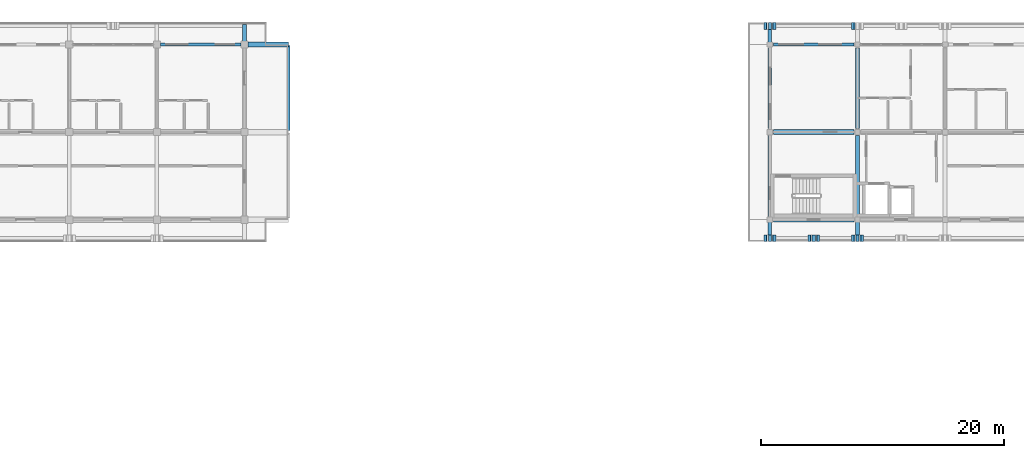
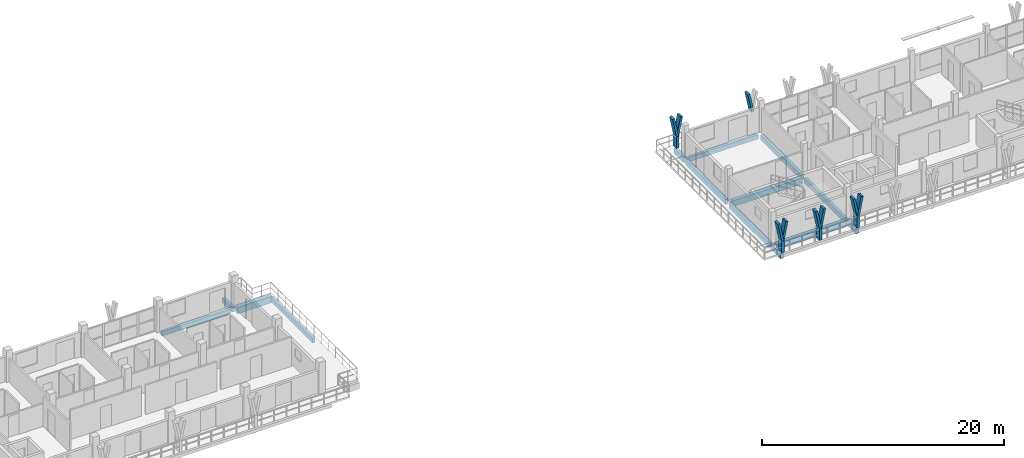
# One storey, part 16 of 56: 14 beams, 13 members.
"""IFC4 building model written with IfcOpenShell, lengths in metres."""

from ifc_helpers import new_model, si_unit, direction, frame, origin, origin_2d, place, context, subcontext, project, spatial, rectangle, extrude, material, material_profile, profile_set, type_object, element, save


model = new_model("IFC4")

# Units and contexts
model_context = context("Model", 3, precision=1e-05, world=origin(), true_north=direction((0.0, 1.0)))
body_context = subcontext(model_context, "Body", "Model", "MODEL_VIEW")
ifc_project = project(units=[si_unit("LENGTHUNIT", "METRE"), si_unit("AREAUNIT", "SQUARE_METRE"), si_unit("VOLUMEUNIT", "CUBIC_METRE"), si_unit("PLANEANGLEUNIT", "RADIAN"), si_unit("MASSUNIT", "GRAM", prefix="KILO")], contexts=[model_context])

# Site, building, storey
site_placement = place(None, origin())
site = spatial("IfcSite", under=ifc_project, at=site_placement, CompositionType="ELEMENT")
building_placement = place(site_placement, origin())
building = spatial("IfcBuilding", under=site, at=building_placement, Name="Suanplinth Sawtooth Commons", CompositionType="ELEMENT")
storey_placement = place(building_placement, frame((0.0, 0.0, 34.800048828125)))
storey = spatial("IfcBuildingStorey", under=building, at=storey_placement, Name="L10", CompositionType="ELEMENT", Elevation=34.800048828125)

# Beams
ifc_material_1 = material(Name="Precast concrete C40/50", Category="concrete")
ifc_material_profile_1 = material_profile(ifc_material_1, rectangle(XDim=0.449951171875, YDim=0.64990234375, at=origin_2d()), Name="PC-GDR 450x650")
ifc_profile_set_1 = profile_set([ifc_material_profile_1], Name="Precast concrete C40/50")
beam_type_1 = type_object("IfcBeamType", Name="B-04", PredefinedType="USERDEFINED", material=ifc_profile_set_1)
beam_1_placement = place(storey_placement, frame((93.89990234375, 122.39990234375, -0.545166015625), z_axis=(1.0, 0.0, 0.0), x_axis=(0.0, 1.0, 0.0)))
element("IfcBeam", 1, at=beam_1_placement, inside=storey, type_object=beam_type_1, Name="BMX-L10-A-ECANT-17", ObjectType="GIRDER", PredefinedType="USERDEFINED", context=body_context, shape_type="SweptSolid", body=[
    extrude(rectangle(XDim=0.449951171875, YDim=0.64990234375, at=origin_2d()), origin(), (0.0, 0.0, 1.0), 3.300048828125),
])
ifc_material_profile_2 = material_profile(ifc_material_1, rectangle(XDim=0.39990234375, YDim=0.60009765625, at=origin_2d()), Name="PC-GDR 400x600")
ifc_profile_set_2 = profile_set([ifc_material_profile_2], Name="Precast concrete C40/50")
beam_type_2 = type_object("IfcBeamType", Name="B-05", PredefinedType="USERDEFINED", material=ifc_profile_set_2)
for number, where, z_axis, x_axis, name in (
    (2, (137.074951171875, 108.0, -0.52001953125), (1.0, 0.0, 0.0), (0.0, 1.0, 0.0), "BMX-L10-B-19-15"),
    (3, (137.074951171875, 115.199951171875, -0.52001953125), (1.0, 0.0, 0.0), (0.0, 1.0, 0.0), "BMX-L10-B-19-16"),
):
    element("IfcBeam", number, at=place(storey_placement, frame(where, z_axis=z_axis, x_axis=x_axis)), inside=storey, type_object=beam_type_2, Name=name, ObjectType="GIRDER", PredefinedType="USERDEFINED", context=body_context, shape_type="SweptSolid", body=[
        extrude(rectangle(XDim=0.39990234375, YDim=0.60009765625, at=origin_2d()), origin(), (0.0, 0.0, 1.0), 6.650146484375),
    ])
ifc_material_profile_3 = material_profile(ifc_material_1, rectangle(XDim=0.300048828125, YDim=0.5, at=origin_2d()), Name="PC-BM 300x500")
ifc_profile_set_3 = profile_set([ifc_material_profile_3], Name="Precast concrete C40/50")
beam_type_3 = type_object("IfcBeamType", Name="B-07", PredefinedType="BEAM", material=ifc_profile_set_3)
beam_2_placement = place(storey_placement, frame((136.800048828125, 108.27490234375, -0.469970703125), z_axis=(0.0, 1.0, 0.0), x_axis=(-1.0, 0.0, 0.0)))
element("IfcBeam", 4, at=beam_2_placement, inside=storey, type_object=beam_type_3, Name="BMY-L10-B-19-15", PredefinedType="BEAM", context=body_context, shape_type="SweptSolid", body=[
    extrude(rectangle(XDim=0.300048828125, YDim=0.5, at=origin_2d()), origin(), (0.0, 0.0, 1.0), 6.650146484375),
])
beam_3_placement = place(storey_placement, frame((136.800048828125, 115.47509765625, -0.469970703125), z_axis=(0.0, 1.0, 0.0), x_axis=(-1.0, 0.0, 0.0)))
element("IfcBeam", 5, at=beam_3_placement, inside=storey, type_object=beam_type_3, Name="BMY-L10-B-19-16", PredefinedType="BEAM", context=body_context, shape_type="SweptSolid", body=[
    extrude(rectangle(XDim=0.300048828125, YDim=0.5, at=origin_2d()), origin(), (0.0, 0.0, 1.0), 6.64990234375),
])
beam_4_placement = place(storey_placement, frame((144.0, 108.27490234375, -0.469970703125), z_axis=(0.0, 1.0, 0.0), x_axis=(-1.0, 0.0, 0.0)))
element("IfcBeam", 6, at=beam_4_placement, inside=storey, type_object=beam_type_3, Name="BMY-L10-B-20-15", PredefinedType="BEAM", context=body_context, shape_type="SweptSolid", body=[
    extrude(rectangle(XDim=0.300048828125, YDim=0.5, at=origin_2d()), origin(), (0.0, 0.0, 1.0), 6.650146484375),
])
beam_5_placement = place(storey_placement, frame((144.0, 115.47509765625, -0.469970703125), z_axis=(0.0, 1.0, 0.0), x_axis=(-1.0, 0.0, 0.0)))
element("IfcBeam", 7, at=beam_5_placement, inside=storey, type_object=beam_type_3, Name="BMY-L10-B-20-16", PredefinedType="BEAM", context=body_context, shape_type="SweptSolid", body=[
    extrude(rectangle(XDim=0.300048828125, YDim=0.5, at=origin_2d()), origin(), (0.0, 0.0, 1.0), 6.64990234375),
])
for number, where, z_axis, x_axis, name in (
    (8, (93.60009765625, 122.39990234375, -0.429931640625), (0.0, 1.0, 0.0), (-1.0, 0.0, 0.0), "Balcony Outrigger L10-A-N-13"),
    (9, (136.800048828125, 122.39990234375, -0.429931640625), (0.0, 1.0, 0.0), (-1.0, 0.0, 0.0), "Balcony Outrigger L10-B-N-19"),
):
    element("IfcBeam", number, at=place(storey_placement, frame(where, z_axis=z_axis, x_axis=x_axis)), inside=storey, type_object=beam_type_3, Name=name, PredefinedType="BEAM", context=body_context, shape_type="SweptSolid", body=[
        extrude(rectangle(XDim=0.300048828125, YDim=0.5, at=origin_2d()), origin(), (0.0, 0.0, 1.0), 1.64013671875),
    ])
for number, where, z_axis, x_axis, name in (
    (10, (136.800048828125, 108.0, -0.425048828125), (0.0, -1.0, 0.0), (1.0, 0.0, 0.0), "Balcony Outrigger L10-B-SC-19"),
    (11, (144.0, 108.0, -0.425048828125), (0.0, -1.0, 0.0), (1.0, 0.0, 0.0), "Balcony Outrigger L10-B-SC-20"),
):
    element("IfcBeam", number, at=place(storey_placement, frame(where, z_axis=z_axis, x_axis=x_axis)), inside=storey, type_object=beam_type_3, Name=name, PredefinedType="BEAM", context=body_context, shape_type="SweptSolid", body=[
        extrude(rectangle(XDim=0.300048828125, YDim=0.5, at=origin_2d()), origin(), (0.0, 0.0, 1.0), 1.639892578125),
    ])
ifc_material_profile_4 = material_profile(ifc_material_1, rectangle(XDim=0.25, YDim=0.449951171875, at=origin_2d()), Name="PC-SP 250x450")
ifc_profile_set_4 = profile_set([ifc_material_profile_4], Name="Precast concrete C40/50")
beam_type_4 = type_object("IfcBeamType", Name="B-09", PredefinedType="SPANDREL", material=ifc_profile_set_4)
beam_6_placement = place(storey_placement, frame((86.699951171875, 122.39990234375, -0.445068359375), z_axis=(1.0, 0.0, 0.0), x_axis=(0.0, 1.0, 0.0)))
element("IfcBeam", 12, at=beam_6_placement, inside=storey, type_object=beam_type_4, Name="BMX-L10-A-12-17", PredefinedType="SPANDREL", context=body_context, shape_type="SweptSolid", body=[
    extrude(rectangle(XDim=0.25, YDim=0.449951171875, at=origin_2d()), origin(), (0.0, 0.0, 1.0), 6.60009765625),
])
beam_7_placement = place(storey_placement, frame((97.199951171875, 115.340087890625, -0.545166015625), z_axis=(0.0, 1.0, 0.0), x_axis=(-1.0, 0.0, 0.0)))
element("IfcBeam", 13, at=beam_7_placement, inside=storey, type_object=beam_type_4, Name="BMY-L10-A-STEP-972-16", PredefinedType="SPANDREL", context=body_context, shape_type="SweptSolid", body=[
    extrude(rectangle(XDim=0.25, YDim=0.449951171875, at=origin_2d()), origin(), (0.0, 0.0, 1.0), 6.97998046875),
])
beam_8_placement = place(storey_placement, frame((137.074951171875, 122.39990234375, -0.445068359375), z_axis=(1.0, 0.0, 0.0), x_axis=(0.0, 1.0, 0.0)))
element("IfcBeam", 14, at=beam_8_placement, inside=storey, type_object=beam_type_4, Name="BMX-L10-B-19-17", PredefinedType="SPANDREL", context=body_context, shape_type="SweptSolid", body=[
    extrude(rectangle(XDim=0.25, YDim=0.449951171875, at=origin_2d()), origin(), (0.0, 0.0, 1.0), 6.650146484375),
])

# Members
ifc_material_2 = material(Name="Pigmented precast concrete C40/50", Category="concrete")
ifc_material_profile_5 = material_profile(ifc_material_2, rectangle(XDim=0.260009765625, YDim=0.550048828125, at=origin_2d()), Name="PC-FIN 260x550")
ifc_profile_set_5 = profile_set([ifc_material_profile_5], Name="Pigmented precast concrete C40/50")
member_type_1 = type_object("IfcMemberType", Name="M-09", PredefinedType="USERDEFINED", material=ifc_profile_set_5)
for number, where, z_axis, x_axis, name in (
    (15, (136.800048828125, 123.919921875, 0.0), (0.0, 0.0, 1.0), (1.0, 0.0, 0.0), "Y-Blade Stem L10-B-N-01"),
    (16, (136.800048828125, 106.47998046875, 0.0), (0.0, 0.0, 1.0), (1.0, 0.0, 0.0), "Y-Blade Stem L10-B-SC-13"),
    (17, (140.39990234375, 106.47998046875, 0.0), (0.0, 0.0, 1.0), (1.0, 0.0, 0.0), "Y-Blade Stem L10-B-SC-14"),
    (18, (144.0, 106.47998046875, 0.0), (0.0, 0.0, 1.0), (1.0, 0.0, 0.0), "Y-Blade Stem L10-B-SC-15"),
):
    element("IfcMember", number, at=place(storey_placement, frame(where, z_axis=z_axis, x_axis=x_axis)), inside=storey, type_object=member_type_1, Name=name, ObjectType="SHADING FIN", PredefinedType="USERDEFINED", context=body_context, shape_type="SweptSolid", body=[
        extrude(rectangle(XDim=0.260009765625, YDim=0.550048828125, at=origin_2d()), origin(), (0.0, 0.0, 1.0), 1.169921875),
    ])
ifc_material_profile_6 = material_profile(ifc_material_2, rectangle(XDim=0.219970703125, YDim=0.550048828125, at=origin_2d()), Name="PC-FIN 220x550")
ifc_profile_set_6 = profile_set([ifc_material_profile_6], Name="Pigmented precast concrete C40/50")
member_type_2 = type_object("IfcMemberType", Name="M-10", PredefinedType="USERDEFINED", material=ifc_profile_set_6)
member_1_placement = place(storey_placement, frame((136.800048828125, 123.919921875, 1.1298828125), z_axis=(-0.196406855569, 0.0, 0.980522486782), x_axis=(0.980522486782, 0.0, 0.196406855569)))
element("IfcMember", 19, at=member_1_placement, inside=storey, type_object=member_type_2, Name="Y-Blade Arm L L10-B-N-01", ObjectType="SHADING FIN", PredefinedType="USERDEFINED", context=body_context, shape_type="SweptSolid", body=[
    extrude(rectangle(XDim=0.219970703125, YDim=0.550048828125, at=origin_2d()), origin(), (0.0, 0.0, 1.0), 1.93798828125),
])
member_2_placement = place(storey_placement, frame((136.800048828125, 123.919921875, 1.1298828125), z_axis=(0.196285728346, 0.0, 0.980546741796), x_axis=(-0.980546741796, 0.0, 0.196285728346)))
element("IfcMember", 20, at=member_2_placement, inside=storey, type_object=member_type_2, Name="Y-Blade Arm R L10-B-N-01", ObjectType="SHADING FIN", PredefinedType="USERDEFINED", context=body_context, shape_type="SweptSolid", body=[
    extrude(rectangle(XDim=0.219970703125, YDim=0.550048828125, at=origin_2d()), origin(), (0.0, 0.0, 1.0), 1.937744140625),
])
for number, where, z_axis, x_axis, name in (
    (21, (144.0, 123.919921875, 1.1298828125), (-0.196406855569, 0.0, 0.980522486782), (0.980522486782, 0.0, 0.196406855569), "Y-Blade Arm L L10-B-N-02"),
    (22, (136.800048828125, 106.47998046875, 1.1298828125), (-0.196406855569, 0.0, 0.980522486782), (0.980522486782, 0.0, 0.196406855569), "Y-Blade Arm L L10-B-SC-13"),
):
    element("IfcMember", number, at=place(storey_placement, frame(where, z_axis=z_axis, x_axis=x_axis)), inside=storey, type_object=member_type_2, Name=name, ObjectType="SHADING FIN", PredefinedType="USERDEFINED", context=body_context, shape_type="SweptSolid", body=[
        extrude(rectangle(XDim=0.219970703125, YDim=0.550048828125, at=origin_2d()), origin(), (0.0, 0.0, 1.0), 1.93798828125),
    ])
for number, where, z_axis, x_axis, name in (
    (23, (136.800048828125, 106.47998046875, 1.1298828125), (0.196285728346, 0.0, 0.980546741796), (-0.980546741796, 0.0, 0.196285728346), "Y-Blade Arm R L10-B-SC-13"),
    (24, (140.39990234375, 106.47998046875, 1.1298828125), (-0.196285728346, 0.0, 0.980546741796), (0.980546741796, 0.0, 0.196285728346), "Y-Blade Arm L L10-B-SC-14"),
):
    element("IfcMember", number, at=place(storey_placement, frame(where, z_axis=z_axis, x_axis=x_axis)), inside=storey, type_object=member_type_2, Name=name, ObjectType="SHADING FIN", PredefinedType="USERDEFINED", context=body_context, shape_type="SweptSolid", body=[
        extrude(rectangle(XDim=0.219970703125, YDim=0.550048828125, at=origin_2d()), origin(), (0.0, 0.0, 1.0), 1.937744140625),
    ])
for number, where, z_axis, x_axis, name in (
    (25, (140.39990234375, 106.47998046875, 1.1298828125), (0.196406855569, 0.0, 0.980522486782), (-0.980522486782, 0.0, 0.196406855569), "Y-Blade Arm R L10-B-SC-14"),
    (26, (144.0, 106.47998046875, 1.1298828125), (-0.196406855569, 0.0, 0.980522486782), (0.980522486782, 0.0, 0.196406855569), "Y-Blade Arm L L10-B-SC-15"),
    (27, (144.0, 106.47998046875, 1.1298828125), (0.196406855569, 0.0, 0.980522486782), (-0.980522486782, 0.0, 0.196406855569), "Y-Blade Arm R L10-B-SC-15"),
):
    element("IfcMember", number, at=place(storey_placement, frame(where, z_axis=z_axis, x_axis=x_axis)), inside=storey, type_object=member_type_2, Name=name, ObjectType="SHADING FIN", PredefinedType="USERDEFINED", context=body_context, shape_type="SweptSolid", body=[
        extrude(rectangle(XDim=0.219970703125, YDim=0.550048828125, at=origin_2d()), origin(), (0.0, 0.0, 1.0), 1.93798828125),
    ])

save(model, "model.ifc")
